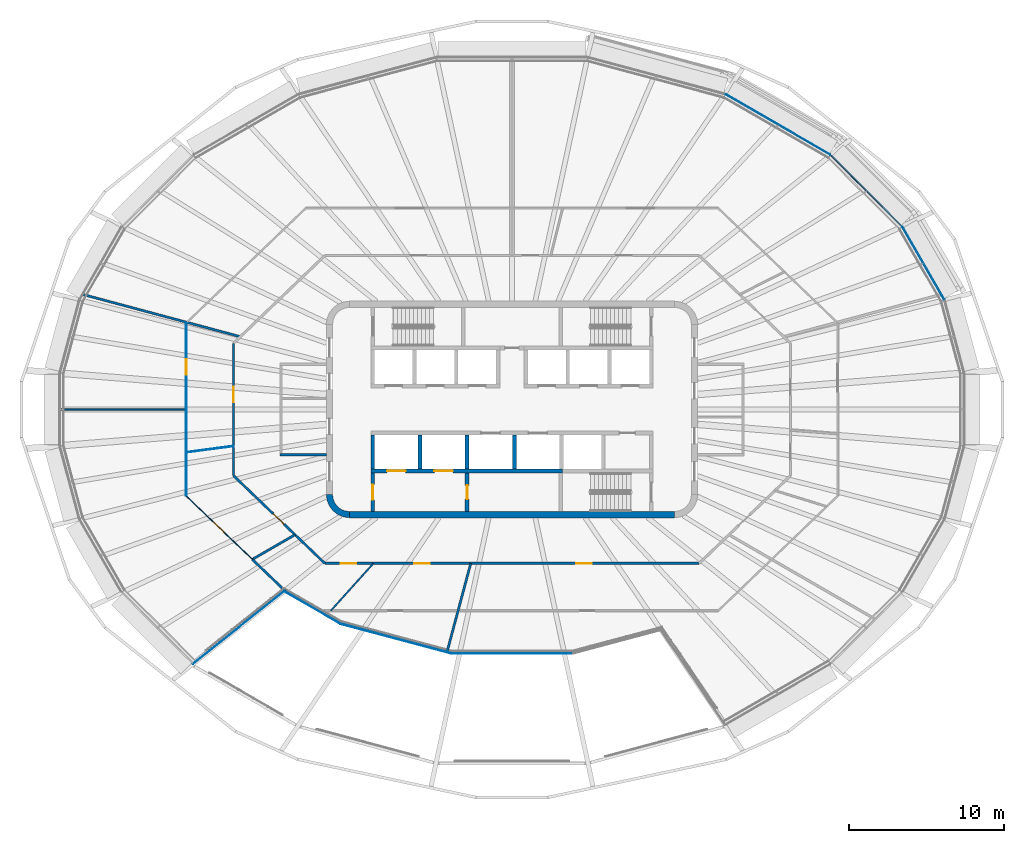
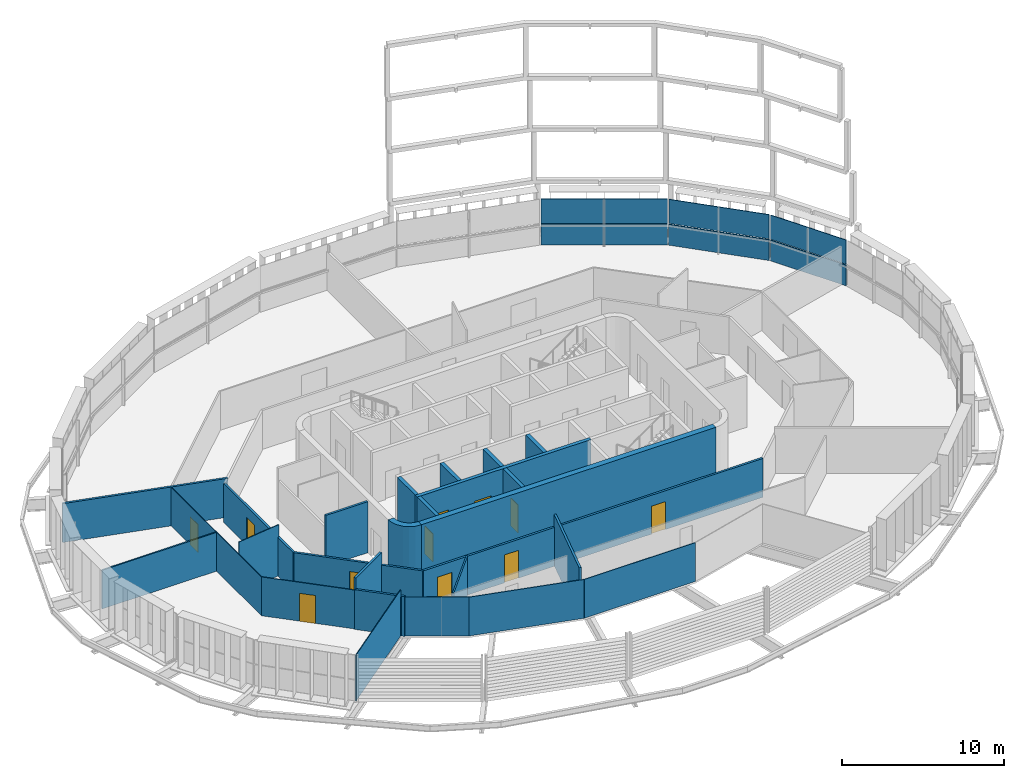
# One storey, part 9 of 19: 26 walls, 11 doors, 6 plates, 11 openings, 3 elements without a shape of their own.
"""IFC4 building model written with IfcOpenShell, lengths in metres."""

from ifc_helpers import new_model, si_unit, direction, frame, frame_2d, origin, place, context, subcontext, project, spatial, polyline, rectangle, outline, extrude, material, layer, layer_set, type_object, element, fill, aggregate, save


model = new_model("IFC4")

# Units and contexts
model_context = context("Model", 3, precision=1e-05, world=origin(), true_north=direction((0.0, 1.0)))
body_context = subcontext(model_context, "Body", "Model", "MODEL_VIEW")
ifc_project = project(units=[si_unit("LENGTHUNIT", "METRE"), si_unit("AREAUNIT", "SQUARE_METRE"), si_unit("VOLUMEUNIT", "CUBIC_METRE"), si_unit("PLANEANGLEUNIT", "RADIAN"), si_unit("MASSUNIT", "GRAM", prefix="KILO")], contexts=[model_context])

# Site, building, storey
site_placement = place(None, origin())
site = spatial("IfcSite", under=ifc_project, at=site_placement, CompositionType="ELEMENT")
building_placement = place(site_placement, origin())
building = spatial("IfcBuilding", under=site, at=building_placement, Name="Sahrelin Media Tower", CompositionType="ELEMENT")
storey_placement = place(building_placement, frame((0.0, 0.0, 279.0)))
storey = spatial("IfcBuildingStorey", under=building, at=storey_placement, Name="L61", CompositionType="ELEMENT", Elevation=279.0)

# Curtain wall, plate
ifc_material_1 = material(Name="Champagne anodised aluminium 6063-T6", Category="aluminium")
ifc_layer_1 = layer(ifc_material_1, 0.14990234375)
ifc_layer_set_1 = layer_set([ifc_layer_1], Name="Tower ribbon curtain wall")
curtain_wall_type = type_object("IfcCurtainWallType", Name="Tower ribbon curtain wall", PredefinedType="NOTDEFINED", material=ifc_layer_set_1)
curtain_wall_1_placement = place(storey_placement, frame((26.595703125, 9.452392578125, 0.0), z_axis=(0.0, 0.0, 1.0), x_axis=(1.0, 0.0, 0.0)))
curtain_wall_1 = element("IfcCurtainWall", 1, at=curtain_wall_1_placement, inside=storey, type_object=curtain_wall_type, Name="L61:CW:L61-02", PredefinedType="NOTDEFINED")
ifc_material_2 = material(Name="Clear low-iron glazing", Category="glass")
ifc_layer_2 = layer(ifc_material_2, 0.048095703125)
ifc_layer_set_2 = layer_set([ifc_layer_2], Name="Glazing panel 48 mm CW1C")
plate_type_1 = type_object("IfcPlateType", Name="Glazing panel 48 mm CW1C", PredefinedType="CURTAIN_PANEL", material=ifc_layer_set_2)
plate_1_placement = place(storey_placement, frame((27.96044921875, 7.12890625, 1.6298828125), z_axis=(0.866009810771, 0.50002700692, 0.0), x_axis=(-0.50002700692, 0.866009810771, 0.0)))
plate_1 = element("IfcPlate", 2, at=plate_1_placement, type_object=plate_type_1, Name="L61:CWP2:L61-02", PredefinedType="CURTAIN_PANEL", context=body_context, shape_type="SweptSolid", body=[
    extrude(outline(polyline([(0.0, 0.0), (5.389404296875, 0.0), (5.389404296875, 1.818603515625), (0.0, 1.818603515625), (0.0, 0.0)])), origin(), (0.0, 0.0, -1.0), 0.048095703125),
])

curtain_wall_2_placement = place(storey_placement, frame((22.919189453125, 14.133544921875, 0.0), z_axis=(0.0, 0.0, 1.0), x_axis=(1.0, 0.0, 0.0)))
curtain_wall_2 = element("IfcCurtainWall", 3, at=curtain_wall_2_placement, inside=storey, type_object=curtain_wall_type, Name="L61:CW:L61-03", PredefinedType="NOTDEFINED")
plate_2_placement = place(storey_placement, frame((25.2021484375, 11.87890625, 1.6298828125), z_axis=(0.707106781187, 0.707106781187, 0.0), x_axis=(-0.707106781187, 0.707106781187, 0.0)))
plate_2 = element("IfcPlate", 4, at=plate_2_placement, type_object=plate_type_1, Name="L61:CWP2:L61-03", PredefinedType="CURTAIN_PANEL", context=body_context, shape_type="SweptSolid", body=[
    extrude(outline(polyline([(0.0, 0.0), (6.417236328125, 0.0), (6.417236328125, 1.818603515625), (0.0, 1.818603515625), (0.0, 0.0)])), origin(), (0.0, 0.0, -1.0), 0.048095703125),
])

curtain_wall_3_placement = place(storey_placement, frame((17.198974609375, 18.41015625, 0.0), z_axis=(0.0, 0.0, 1.0), x_axis=(1.0, 0.0, 0.0)))
curtain_wall_3 = element("IfcCurtainWall", 5, at=curtain_wall_3_placement, inside=storey, type_object=curtain_wall_type, Name="L61:CW:L61-04", PredefinedType="NOTDEFINED")
plate_3_placement = place(storey_placement, frame((20.581787109375, 16.47998046875, 1.6298828125), z_axis=(0.500019089391, 0.866014382239, 0.0), x_axis=(-0.866014382239, 0.500019089391, 0.0)))
plate_3 = element("IfcPlate", 6, at=plate_3_placement, type_object=plate_type_1, Name="L61:CWP2:L61-04", PredefinedType="CURTAIN_PANEL", context=body_context, shape_type="SweptSolid", body=[
    extrude(outline(polyline([(0.0, 0.0), (7.789306640625, 0.0), (7.789306640625, 1.818603515625), (0.0, 1.818603515625), (0.0, 0.0)])), origin(), (0.0, 0.0, -1.0), 0.048095703125),
])

# Plate
ifc_material_3 = material(Name="Insulated spandrel panel")
ifc_layer_3 = layer(ifc_material_3, 0.06005859375)
ifc_layer_set_3 = layer_set([ifc_layer_3], Name="Spandrel panel 60 mm CW1")
plate_type_2 = type_object("IfcPlateType", Name="Spandrel panel 60 mm CW1", PredefinedType="SHEET", material=ifc_layer_set_3)
plate_4_placement = place(storey_placement, frame((27.96044921875, 7.12890625, 0.0), z_axis=(0.866009810771, 0.50002700692, 0.0), x_axis=(-0.50002700692, 0.866009810771, 0.0)))
plate_4 = element("IfcPlate", 7, at=plate_4_placement, type_object=plate_type_2, Name="L61:CWP1:L61-02", PredefinedType="SHEET", context=body_context, shape_type="SweptSolid", body=[
    extrude(outline(polyline([(0.0, 0.0), (5.389404296875, 0.0), (5.389404296875, 1.570068359375), (0.0, 1.570068359375), (0.0, 0.0)])), origin(), (0.0, 0.0, -1.0), 0.06005859375),
])

aggregate(curtain_wall_1, [plate_4, plate_1])

plate_5_placement = place(storey_placement, frame((25.2021484375, 11.87890625, 0.0), z_axis=(0.707106781187, 0.707106781187, 0.0), x_axis=(-0.707106781187, 0.707106781187, 0.0)))
plate_5 = element("IfcPlate", 8, at=plate_5_placement, type_object=plate_type_2, Name="L61:CWP1:L61-03", PredefinedType="SHEET", context=body_context, shape_type="SweptSolid", body=[
    extrude(outline(polyline([(0.0, 0.0), (6.417236328125, 0.0), (6.417236328125, 1.570068359375), (0.0, 1.570068359375), (0.0, 0.0)])), origin(), (0.0, 0.0, -1.0), 0.06005859375),
])

aggregate(curtain_wall_2, [plate_5, plate_2])

plate_6_placement = place(storey_placement, frame((20.581787109375, 16.47998046875, 0.0), z_axis=(0.500019089391, 0.866014382239, 0.0), x_axis=(-0.866014382239, 0.500019089391, 0.0)))
plate_6 = element("IfcPlate", 9, at=plate_6_placement, type_object=plate_type_2, Name="L61:CWP1:L61-04", PredefinedType="SHEET", context=body_context, shape_type="SweptSolid", body=[
    extrude(outline(polyline([(0.0, 0.0), (7.789306640625, 0.0), (7.789306640625, 1.570068359375), (0.0, 1.570068359375), (0.0, 0.0)])), origin(), (0.0, 0.0, -1.0), 0.06005859375),
])

aggregate(curtain_wall_3, [plate_6, plate_3])

# Walls
ifc_material_4 = material(Name="Concrete C60/75", Category="concrete")
ifc_layer_4 = layer(ifc_material_4, 0.39990234375)
ifc_layer_set_4 = layer_set([ifc_layer_4], Name="Core wall 400")
wall_type_1 = type_object("IfcWallType", Name="Core wall 400", PredefinedType="SHEAR", material=ifc_layer_set_4)
wall_1_placement = place(storey_placement, frame((-10.5, -6.800048828125, 0.0), z_axis=(0.0, 0.0, 1.0), x_axis=(1.0, 0.0, 0.0)))
element("IfcWall", 10, at=wall_1_placement, inside=storey, type_object=wall_type_1, Name="Core wall S L61", PredefinedType="SHEAR", context=body_context, shape_type="SweptSolid", body=[
    extrude(rectangle(XDim=21.0, YDim=0.39990234375, at=frame_2d((10.5, 0.0))), origin(), (0.0, 0.0, 1.0), 4.0),
])
wall_2_placement = place(storey_placement, origin())
element("IfcWall", 11, at=wall_2_placement, inside=storey, type_object=wall_type_1, Name="Core wall corner SW L61", PredefinedType="SHEAR", context=body_context, shape_type="SweptSolid", body=[
    extrude(outline(polyline([(-10.5, -7.0), (-10.5, -6.596435546875), (-10.78369140625, -6.55908203125), (-11.04833984375, -6.44970703125), (-11.275390625, -6.275390625), (-11.44970703125, -6.04833984375), (-11.55908203125, -5.78369140625), (-11.596435546875, -5.5), (-12.0, -5.5), (-11.948974609375, -5.88818359375), (-11.799072265625, -6.25), (-11.560791015625, -6.560791015625), (-11.25, -6.799072265625), (-10.88818359375, -6.948974609375), (-10.5, -7.0)])), origin(), (0.0, 0.0, 1.0), 4.0),
])
ifc_material_5 = material(Name="Fire-rated gypsum board partition")
ifc_layer_5 = layer(ifc_material_5, 0.14990234375)
ifc_layer_set_5 = layer_set([ifc_layer_5], Name="Fire-rated partition 150")
wall_type_2 = type_object("IfcWallType", Name="Fire-rated partition 150", PredefinedType="PARTITIONING", material=ifc_layer_set_5)
wall_3_placement = place(storey_placement, frame((-15.0, -2.925048828125, 0.0), z_axis=(0.0, 0.0, 1.0), x_axis=(1.0, 0.0, 0.0)))
element("IfcWall", 12, at=wall_3_placement, inside=storey, type_object=wall_type_2, Name="Core room fire partition", PredefinedType="PARTITIONING", context=body_context, shape_type="SweptSolid", body=[
    extrude(rectangle(XDim=3.0, YDim=0.14990234375, at=frame_2d((1.5, 0.0))), origin(), (0.0, 0.0, 1.0), 3.85009765625),
])
wall_4_placement = place(storey_placement, frame((-16.782958984375, -9.68994140625, 0.0), z_axis=(0.0, 0.0, 1.0), x_axis=(0.721336622544, -0.692584635245, 0.0)))
element("IfcWall", 13, at=wall_4_placement, inside=storey, type_object=wall_type_2, Name="Wall", PredefinedType="PARTITIONING", context=body_context, shape_type="SweptSolid", body=[
    extrude(rectangle(XDim=3.17578125, YDim=0.14990234375, at=frame_2d((1.587890625, 0.0))), origin(), (0.0, 0.0, 1.0), 2.9951171875),
])

# Wall, opening, door
wall_5_placement = place(storey_placement, frame((-18.0, -4.278076171875, 0.0), z_axis=(0.0, 0.0, 1.0), x_axis=(0.721348586031, -0.692572174889, 0.0)))
wall_5 = element("IfcWall", 14, at=wall_5_placement, inside=storey, type_object=wall_type_2, Name="Wall", PredefinedType="PARTITIONING", context=body_context, shape_type="SweptSolid", body=[
    extrude(rectangle(XDim=8.18701171875, YDim=0.14990234375, at=frame_2d((4.093505859375, 0.0))), origin(), (0.0, 0.0, 1.0), 2.927001953125),
])
opening_1_placement = place(wall_5_placement, frame((3.545654296875, 0.0, 0.0)))
opening_1 = element("IfcOpeningElement", 15, at=opening_1_placement, cuts=wall_5, Name="Opening L61-D29", PredefinedType="OPENING", context=body_context, shape_type="SweptSolid", body=[
    extrude(rectangle(XDim=1.0, YDim=2.10009765625, at=frame_2d((0.5, 1.050048828125))), frame((0.0, 0.074951171875, 0.0), z_axis=(0.0, -1.0, 0.0), x_axis=(1.0, 0.0, 0.0)), (0.0, 0.0, 1.0), 0.14990234375),
])
ifc_material_6 = material(Name="Steel fire door leaf", Category="steel")
door_type_1 = type_object("IfcDoorType", Name="Fire door 1000 x 2100 EI 60", OperationType="NOTDEFINED", PredefinedType="DOOR", material=ifc_material_6)
door_1_placement = place(opening_1_placement, origin())
door_1 = element("IfcDoor", 16, at=door_1_placement, inside=storey, type_object=door_type_1, Name="Fire door", OperationType="SINGLE_SWING_RIGHT", OverallHeight=2.10009765625, OverallWidth=1.0, PredefinedType="DOOR", context=body_context, shape_type="SweptSolid", body=[
    extrude(rectangle(XDim=1.0, YDim=2.10009765625, at=frame_2d((0.5, 1.050048828125))), frame((0.0, 0.02490234375, 0.0), z_axis=(0.0, -1.0, 0.0), x_axis=(1.0, 0.0, 0.0)), (0.0, 0.0, 1.0), 0.050048828125),
])
fill(opening_1, door_1)

# Wall
wall_6_placement = place(storey_placement, frame((-27.759033203125, 7.43798828125, 0.0), z_axis=(0.0, 0.0, 1.0), x_axis=(0.965913486924, -0.258865091851, 0.0)))
element("IfcWall", 17, at=wall_6_placement, inside=storey, type_object=wall_type_2, Name="Wall", PredefinedType="PARTITIONING", context=body_context, shape_type="SweptSolid", body=[
    extrude(rectangle(XDim=10.56298828125, YDim=0.14990234375, at=frame_2d((5.281494140625, 0.0))), origin(), (0.0, 0.0, 1.0), 2.927001953125),
])

# Wall, openings, doors
wall_7_placement = place(storey_placement, frame((-12.094970703125, -9.948974609375, 0.0), z_axis=(0.0, 0.0, 1.0), x_axis=(1.0, 0.0, 0.0)))
wall_7 = element("IfcWall", 18, at=wall_7_placement, inside=storey, type_object=wall_type_2, Name="Wall", PredefinedType="PARTITIONING", context=body_context, shape_type="SweptSolid", body=[
    extrude(rectangle(XDim=24.18994140625, YDim=0.14990234375, at=frame_2d((12.094970703125, 0.0))), origin(), (0.0, 0.0, 1.0), 2.927001953125),
])
opening_2_placement = place(wall_7_placement, frame((16.25927734375, 0.0, 0.0)))
opening_2 = element("IfcOpeningElement", 19, at=opening_2_placement, cuts=wall_7, Name="Opening L61-D16", PredefinedType="OPENING", context=body_context, shape_type="SweptSolid", body=[
    extrude(rectangle(XDim=1.0, YDim=2.10009765625, at=frame_2d((0.5, 1.050048828125))), frame((0.0, 0.074951171875, 0.0), z_axis=(0.0, -1.0, 0.0), x_axis=(1.0, 0.0, 0.0)), (0.0, 0.0, 1.0), 0.14990234375),
])
opening_3_placement = place(wall_7_placement, frame((1.016357421875, 0.0, 0.0)))
opening_3 = element("IfcOpeningElement", 20, at=opening_3_placement, cuts=wall_7, Name="Opening L61-D32", PredefinedType="OPENING", context=body_context, shape_type="SweptSolid", body=[
    extrude(rectangle(XDim=1.0, YDim=2.10009765625, at=frame_2d((0.5, 1.050048828125))), frame((0.0, 0.074951171875, 0.0), z_axis=(0.0, -1.0, 0.0), x_axis=(1.0, 0.0, 0.0)), (0.0, 0.0, 1.0), 0.14990234375),
])
opening_4_placement = place(wall_7_placement, frame((5.782958984375, 0.0, 0.0)))
opening_4 = element("IfcOpeningElement", 21, at=opening_4_placement, cuts=wall_7, Name="Opening L61-D33", PredefinedType="OPENING", context=body_context, shape_type="SweptSolid", body=[
    extrude(rectangle(XDim=1.0, YDim=2.10009765625, at=frame_2d((0.5, 1.050048828125))), frame((0.0, 0.074951171875, 0.0), z_axis=(0.0, -1.0, 0.0), x_axis=(1.0, 0.0, 0.0)), (0.0, 0.0, 1.0), 0.14990234375),
])
door_2_placement = place(opening_2_placement, origin())
door_2 = element("IfcDoor", 22, at=door_2_placement, inside=storey, type_object=door_type_1, Name="Fire door", OperationType="SINGLE_SWING_RIGHT", OverallHeight=2.10009765625, OverallWidth=1.0, PredefinedType="DOOR", context=body_context, shape_type="SweptSolid", body=[
    extrude(rectangle(XDim=1.0, YDim=2.10009765625, at=frame_2d((0.5, 1.050048828125))), frame((0.0, 0.02490234375, 0.0), z_axis=(0.0, -1.0, 0.0), x_axis=(1.0, 0.0, 0.0)), (0.0, 0.0, 1.0), 0.050048828125),
])
fill(opening_2, door_2)
door_3_placement = place(opening_3_placement, origin())
door_3 = element("IfcDoor", 23, at=door_3_placement, inside=storey, type_object=door_type_1, Name="Fire door", OperationType="SINGLE_SWING_RIGHT", OverallHeight=2.10009765625, OverallWidth=1.0, PredefinedType="DOOR", context=body_context, shape_type="SweptSolid", body=[
    extrude(rectangle(XDim=1.0, YDim=2.10009765625, at=frame_2d((0.5, 1.050048828125))), frame((0.0, 0.02490234375, 0.0), z_axis=(0.0, -1.0, 0.0), x_axis=(1.0, 0.0, 0.0)), (0.0, 0.0, 1.0), 0.050048828125),
])
fill(opening_3, door_3)
door_4_placement = place(opening_4_placement, origin())
door_4 = element("IfcDoor", 24, at=door_4_placement, inside=storey, type_object=door_type_1, Name="Fire door", OperationType="SINGLE_SWING_LEFT", OverallHeight=2.10009765625, OverallWidth=1.0, PredefinedType="DOOR", context=body_context, shape_type="SweptSolid", body=[
    extrude(rectangle(XDim=1.0, YDim=2.10009765625, at=frame_2d((0.5, 1.050048828125))), frame((0.0, 0.02490234375, 0.0), z_axis=(0.0, -1.0, 0.0), x_axis=(1.0, 0.0, 0.0)), (0.0, 0.0, 1.0), 0.050048828125),
])
fill(opening_4, door_4)

# Walls
wall_8_placement = place(storey_placement, frame((-16.782958984375, -9.68994140625, 0.0), z_axis=(0.0, 0.0, 1.0), x_axis=(0.866013304951, 0.500020955208, 0.0)))
element("IfcWall", 25, at=wall_8_placement, inside=storey, type_object=wall_type_2, Name="Wall", PredefinedType="PARTITIONING", context=body_context, shape_type="SweptSolid", body=[
    extrude(rectangle(XDim=3.185791015625, YDim=0.14990234375, at=frame_2d((1.5927734375, 0.0))), origin(), (0.0, 0.0, 1.0), 3.85009765625),
])
wall_9_placement = place(storey_placement, frame((-4.20703125, -15.700927734375, 0.0), z_axis=(0.0, 0.0, 1.0), x_axis=(0.258785268971, 0.965934875943, 0.0)))
element("IfcWall", 26, at=wall_9_placement, inside=storey, type_object=wall_type_2, Name="Wall", PredefinedType="PARTITIONING", context=body_context, shape_type="SweptSolid", body=[
    extrude(rectangle(XDim=5.954833984375, YDim=0.14990234375, at=frame_2d((2.9775390625, 0.0))), origin(), (0.0, 0.0, 1.0), 3.85009765625),
])

# Wall, opening, door
wall_10_placement = place(storey_placement, frame((-18.0, -4.278076171875, 0.0), z_axis=(0.0, 0.0, 1.0), x_axis=(0.0, 1.0, 0.0)))
wall_10 = element("IfcWall", 27, at=wall_10_placement, inside=storey, type_object=wall_type_2, Name="Wall", PredefinedType="PARTITIONING", context=body_context, shape_type="SweptSolid", body=[
    extrude(rectangle(XDim=8.55615234375, YDim=0.14990234375, at=frame_2d((4.278076171875, 0.0))), origin(), (0.0, 0.0, 1.0), 2.918212890625),
])
opening_5_placement = place(wall_10_placement, frame((4.73193359375, 0.0, 0.0)))
opening_5 = element("IfcOpeningElement", 28, at=opening_5_placement, cuts=wall_10, Name="Opening L61-D28", PredefinedType="OPENING", context=body_context, shape_type="SweptSolid", body=[
    extrude(rectangle(XDim=1.0, YDim=2.10009765625, at=frame_2d((0.5, 1.050048828125))), frame((0.0, 0.074951171875, 0.0), z_axis=(0.0, -1.0, 0.0), x_axis=(1.0, 0.0, 0.0)), (0.0, 0.0, 1.0), 0.14990234375),
])
door_5_placement = place(opening_5_placement, origin())
door_5 = element("IfcDoor", 29, at=door_5_placement, inside=storey, type_object=door_type_1, Name="Fire door", OperationType="SINGLE_SWING_LEFT", OverallHeight=2.10009765625, OverallWidth=1.0, PredefinedType="DOOR", context=body_context, shape_type="SweptSolid", body=[
    extrude(rectangle(XDim=1.0, YDim=2.10009765625, at=frame_2d((0.5, 1.050048828125))), frame((0.0, 0.02490234375, 0.0), z_axis=(0.0, -1.0, 0.0), x_axis=(1.0, 0.0, 0.0)), (0.0, 0.0, 1.0), 0.050048828125),
])
fill(opening_5, door_5)

ifc_layer_6 = layer(ifc_material_5, 0.25)
ifc_layer_set_6 = layer_set([ifc_layer_6], Name="Firefighting lobby wall 250")
wall_type_3 = type_object("IfcWallType", Name="Firefighting lobby wall 250", PredefinedType="PARTITIONING", material=ifc_layer_set_6)
wall_11_placement = place(storey_placement, frame((-9.0, -6.60009765625, 0.0), z_axis=(0.0, 0.0, 1.0), x_axis=(0.0, 1.0, 0.0)))
wall_11 = element("IfcWall", 30, at=wall_11_placement, inside=storey, type_object=wall_type_3, Name="Core wall", PredefinedType="PARTITIONING", context=body_context, shape_type="SweptSolid", body=[
    extrude(rectangle(XDim=2.5, YDim=0.25, at=frame_2d((1.25, 0.0))), origin(), (0.0, 0.0, 1.0), 3.85009765625),
])
opening_6_placement = place(wall_11_placement, frame((0.75, 0.0, 0.0)))
opening_6 = element("IfcOpeningElement", 31, at=opening_6_placement, cuts=wall_11, Name="Opening L61-D04", PredefinedType="OPENING", context=body_context, shape_type="SweptSolid", body=[
    extrude(rectangle(XDim=1.0, YDim=2.10009765625, at=frame_2d((0.5, 1.050048828125))), frame((0.0, 0.125, 0.0), z_axis=(0.0, -1.0, 0.0), x_axis=(1.0, 0.0, 0.0)), (0.0, 0.0, 1.0), 0.25),
])
door_type_2 = type_object("IfcDoorType", Name="Firefighting lobby door 1000 x 2100 EI 120", OperationType="NOTDEFINED", PredefinedType="DOOR", material=ifc_material_6)
door_6_placement = place(opening_6_placement, origin())
door_6 = element("IfcDoor", 32, at=door_6_placement, inside=storey, type_object=door_type_2, Name="Firefighting lobby door", OperationType="SINGLE_SWING_LEFT", OverallHeight=2.10009765625, OverallWidth=1.0, PredefinedType="DOOR", context=body_context, shape_type="SweptSolid", body=[
    extrude(rectangle(XDim=1.0, YDim=2.10009765625, at=frame_2d((0.5, 1.050048828125))), frame((0.0, 0.02490234375, 0.0), z_axis=(0.0, -1.0, 0.0), x_axis=(1.0, 0.0, 0.0)), (0.0, 0.0, 1.0), 0.050048828125),
])
fill(opening_6, door_6)

wall_12_placement = place(storey_placement, frame((-2.89990234375, -6.60009765625, 0.0), z_axis=(0.0, 0.0, 1.0), x_axis=(0.0, 1.0, 0.0)))
wall_12 = element("IfcWall", 33, at=wall_12_placement, inside=storey, type_object=wall_type_3, Name="Core wall", PredefinedType="PARTITIONING", context=body_context, shape_type="SweptSolid", body=[
    extrude(rectangle(XDim=2.5, YDim=0.25, at=frame_2d((1.25, 0.0))), origin(), (0.0, 0.0, 1.0), 3.85009765625),
])
opening_7_placement = place(wall_12_placement, frame((0.800048828125, 0.0, 0.0)))
opening_7 = element("IfcOpeningElement", 34, at=opening_7_placement, cuts=wall_12, Name="Opening L61-D05", PredefinedType="OPENING", context=body_context, shape_type="SweptSolid", body=[
    extrude(rectangle(XDim=0.89990234375, YDim=2.10009765625, at=frame_2d((0.449951171875, 1.050048828125))), frame((0.0, 0.125, 0.0), z_axis=(0.0, -1.0, 0.0), x_axis=(1.0, 0.0, 0.0)), (0.0, 0.0, 1.0), 0.25),
])
door_type_3 = type_object("IfcDoorType", Name="Firefighting lobby door 900 x 2100 EI 120", OperationType="NOTDEFINED", PredefinedType="DOOR", material=ifc_material_6)
door_7_placement = place(opening_7_placement, origin())
door_7 = element("IfcDoor", 35, at=door_7_placement, inside=storey, type_object=door_type_3, Name="Riser door", OperationType="SINGLE_SWING_RIGHT", OverallHeight=2.10009765625, OverallWidth=0.89990234375, PredefinedType="DOOR", context=body_context, shape_type="SweptSolid", body=[
    extrude(rectangle(XDim=0.89990234375, YDim=2.10009765625, at=frame_2d((0.449951171875, 1.050048828125))), frame((0.0, 0.02490234375, 0.0), z_axis=(0.0, -1.0, 0.0), x_axis=(1.0, 0.0, 0.0)), (0.0, 0.0, 1.0), 0.050048828125),
])
fill(opening_7, door_7)

ifc_material_7 = material(Name="Clear glass", Category="glass")
ifc_layer_7 = layer(ifc_material_7, 0.050048828125)
ifc_layer_set_7 = layer_set([ifc_layer_7], Name="Glazed partition 50")
wall_type_4 = type_object("IfcWallType", Name="Glazed partition 50", PredefinedType="PARTITIONING", material=ifc_layer_set_7)
wall_13_placement = place(storey_placement, frame((-21.06005859375, -5.58203125, 0.0), z_axis=(0.0, 0.0, 1.0), x_axis=(0.721227701814, -0.692698059862, 0.0)))
wall_13 = element("IfcWall", 36, at=wall_13_placement, inside=storey, type_object=wall_type_4, Name="Wall", PredefinedType="PARTITIONING", context=body_context, shape_type="SweptSolid", body=[
    extrude(rectangle(XDim=5.930419921875, YDim=0.050048828125, at=frame_2d((2.96533203125, 0.0))), origin(), (0.0, 0.0, 1.0), 2.927001953125),
])
opening_8_placement = place(wall_13_placement, frame((2.414794921875, 0.0, 0.0)))
opening_8 = element("IfcOpeningElement", 37, at=opening_8_placement, cuts=wall_13, Name="Opening L61-D31", PredefinedType="OPENING", context=body_context, shape_type="SweptSolid", body=[
    extrude(rectangle(XDim=1.0, YDim=2.10009765625, at=frame_2d((0.5, 1.050048828125))), frame((0.0, 0.02490234375, 0.0), z_axis=(0.0, -1.0, 0.0), x_axis=(1.0, 0.0, 0.0)), (0.0, 0.0, 1.0), 0.050048828125),
])
door_type_4 = type_object("IfcDoorType", Name="Glazed door 1000 x 2100", OperationType="NOTDEFINED", PredefinedType="DOOR", material=ifc_material_7)
door_8_placement = place(opening_8_placement, origin())
door_8 = element("IfcDoor", 38, at=door_8_placement, inside=storey, type_object=door_type_4, Name="Glazed door", OperationType="SINGLE_SWING_LEFT", OverallHeight=2.10009765625, OverallWidth=1.0, PredefinedType="DOOR", context=body_context, shape_type="SweptSolid", body=[
    extrude(rectangle(XDim=1.0, YDim=2.10009765625, at=frame_2d((0.5, 1.050048828125))), frame((0.0, 0.02490234375, 0.0), z_axis=(0.0, -1.0, 0.0), x_axis=(1.0, 0.0, 0.0)), (0.0, 0.0, 1.0), 0.049560546875),
])
fill(opening_8, door_8)

# Walls
wall_14_placement = place(storey_placement, frame((-14.735107421875, -11.748779296875, 0.0), z_axis=(0.0, 0.0, 1.0), x_axis=(0.866163431647, -0.499760852486, 0.0)))
element("IfcWall", 39, at=wall_14_placement, inside=storey, type_object=wall_type_4, Name="Wall", PredefinedType="PARTITIONING", context=body_context, shape_type="SweptSolid", body=[
    extrude(rectangle(XDim=4.2197265625, YDim=0.050048828125, at=frame_2d((2.10986328125, 0.0))), origin(), (0.0, 0.0, 1.0), 2.927001953125),
])
wall_15_placement = place(storey_placement, frame((-11.0810546875, -13.85888671875, 0.0), z_axis=(0.0, 0.0, 1.0), x_axis=(0.966075753544, -0.258258859314, 0.0)))
element("IfcWall", 40, at=wall_15_placement, inside=storey, type_object=wall_type_4, Name="Wall", PredefinedType="PARTITIONING", context=body_context, shape_type="SweptSolid", body=[
    extrude(rectangle(XDim=7.364990234375, YDim=0.050048828125, at=frame_2d((3.6826171875, 0.0))), origin(), (0.0, 0.0, 1.0), 2.927001953125),
])
wall_16_placement = place(storey_placement, frame((-3.967041015625, -15.764892578125, 0.0), z_axis=(0.0, 0.0, 1.0), x_axis=(1.0, 0.0, 0.0)))
element("IfcWall", 41, at=wall_16_placement, inside=storey, type_object=wall_type_4, Name="Wall", PredefinedType="PARTITIONING", context=body_context, shape_type="SweptSolid", body=[
    extrude(rectangle(XDim=7.93408203125, YDim=0.050048828125, at=frame_2d((3.967041015625, 0.0))), origin(), (0.0, 0.0, 1.0), 2.927001953125),
])
wall_17_placement = place(storey_placement, frame((-21.06005859375, -2.77294921875, 0.0), z_axis=(0.0, 0.0, 1.0), x_axis=(0.991446216664, 0.130515897359, 0.0)))
element("IfcWall", 42, at=wall_17_placement, inside=storey, type_object=wall_type_4, Name="Wall", PredefinedType="PARTITIONING", context=body_context, shape_type="SweptSolid", body=[
    extrude(rectangle(XDim=3.08642578125, YDim=0.050048828125, at=frame_2d((1.543212890625, 0.0))), origin(), (0.0, 0.0, 1.0), 3.85009765625),
])
wall_18_placement = place(storey_placement, frame((-20.614990234375, -16.43798828125, 0.0), z_axis=(0.0, 0.0, 1.0), x_axis=(0.781837006738, 0.623482874581, 0.0)))
element("IfcWall", 43, at=wall_18_placement, inside=storey, type_object=wall_type_4, Name="Wall", PredefinedType="PARTITIONING", context=body_context, shape_type="SweptSolid", body=[
    extrude(rectangle(XDim=7.5205078125, YDim=0.050048828125, at=frame_2d((3.76025390625, 0.0))), origin(), (0.0, 0.0, 1.0), 3.47509765625),
])

# Wall, opening, door
wall_19_placement = place(storey_placement, frame((-21.06005859375, -5.58203125, 0.0), z_axis=(0.0, 0.0, 1.0), x_axis=(0.0, 1.0, 0.0)))
wall_19 = element("IfcWall", 44, at=wall_19_placement, inside=storey, type_object=wall_type_4, Name="Wall", PredefinedType="PARTITIONING", context=body_context, shape_type="SweptSolid", body=[
    extrude(rectangle(XDim=11.1640625, YDim=0.050048828125, at=frame_2d((5.58203125, 0.0))), origin(), (0.0, 0.0, 1.0), 2.918212890625),
])
opening_9_placement = place(wall_19_placement, frame((7.82177734375, 0.0, 0.0)))
opening_9 = element("IfcOpeningElement", 45, at=opening_9_placement, cuts=wall_19, Name="Opening L61-D30", PredefinedType="OPENING", context=body_context, shape_type="SweptSolid", body=[
    extrude(rectangle(XDim=1.0, YDim=2.10009765625, at=frame_2d((0.5, 1.050048828125))), frame((0.0, 0.02490234375, 0.0), z_axis=(0.0, -1.0, 0.0), x_axis=(1.0, 0.0, 0.0)), (0.0, 0.0, 1.0), 0.050048828125),
])
door_9_placement = place(opening_9_placement, origin())
door_9 = element("IfcDoor", 46, at=door_9_placement, inside=storey, type_object=door_type_4, Name="Glazed door", OperationType="SINGLE_SWING_RIGHT", OverallHeight=2.10009765625, OverallWidth=1.0, PredefinedType="DOOR", context=body_context, shape_type="SweptSolid", body=[
    extrude(rectangle(XDim=1.0, YDim=2.10009765625, at=frame_2d((0.5, 1.050048828125))), frame((0.0, 0.02490234375, 0.0), z_axis=(0.0, -1.0, 0.0), x_axis=(1.0, 0.0, 0.0)), (0.0, 0.0, 1.0), 0.049560546875),
])
fill(opening_9, door_9)

# Wall, openings, doors
ifc_layer_8 = layer(ifc_material_4, 0.25)
ifc_layer_set_8 = layer_set([ifc_layer_8], Name="Lift shaft wall 250")
wall_type_5 = type_object("IfcWallType", Name="Lift shaft wall 250", PredefinedType="SOLIDWALL", material=ifc_layer_set_8)
wall_20_placement = place(storey_placement, frame((-9.125, -3.97509765625, 0.0), z_axis=(0.0, 0.0, 1.0), x_axis=(1.0, 0.0, 0.0)))
wall_20 = element("IfcWall", 47, at=wall_20_placement, inside=storey, type_object=wall_type_5, Name="Lift shaft wall", PredefinedType="SOLIDWALL", context=body_context, shape_type="SweptSolid", body=[
    extrude(rectangle(XDim=12.39990234375, YDim=0.25, at=frame_2d((6.199951171875, 0.0))), origin(), (0.0, 0.0, 1.0), 3.85009765625),
])
opening_10_placement = place(wall_20_placement, frame((1.050048828125, 0.0, 0.0)))
opening_10 = element("IfcOpeningElement", 48, at=opening_10_placement, cuts=wall_20, Name="Opening L61-LD-FF1", PredefinedType="OPENING", context=body_context, shape_type="SweptSolid", body=[
    extrude(rectangle(XDim=1.199951171875, YDim=2.10009765625, at=frame_2d((0.60009765625, 1.050048828125))), frame((0.0, 0.125, 0.0), z_axis=(0.0, -1.0, 0.0), x_axis=(1.0, 0.0, 0.0)), (0.0, 0.0, 1.0), 0.25),
])
opening_11_placement = place(wall_20_placement, frame((4.10009765625, 0.0, 0.0)))
opening_11 = element("IfcOpeningElement", 49, at=opening_11_placement, cuts=wall_20, Name="Opening L61-LD-FF2", PredefinedType="OPENING", context=body_context, shape_type="SweptSolid", body=[
    extrude(rectangle(XDim=1.199951171875, YDim=2.10009765625, at=frame_2d((0.60009765625, 1.050048828125))), frame((0.0, 0.125, 0.0), z_axis=(0.0, -1.0, 0.0), x_axis=(1.0, 0.0, 0.0)), (0.0, 0.0, 1.0), 0.25),
])
ifc_material_8 = material(Name="Stainless steel", Category="steel")
door_type_5 = type_object("IfcDoorType", Name="Lift landing door 1200 x 2100 EI 120", OperationType="DOUBLE_DOOR_SLIDING", PredefinedType="DOOR", material=ifc_material_8)
door_10_placement = place(opening_10_placement, origin())
door_10 = element("IfcDoor", 50, at=door_10_placement, inside=storey, type_object=door_type_5, Name="Lift landing door FF1", OperationType="DOUBLE_DOOR_SLIDING", OverallHeight=2.10009765625, OverallWidth=1.199951171875, PredefinedType="DOOR", context=body_context, shape_type="SweptSolid", body=[
    extrude(rectangle(XDim=1.199951171875, YDim=2.10009765625, at=frame_2d((0.60009765625, 1.050048828125))), frame((0.0, 0.02490234375, 0.0), z_axis=(0.0, -1.0, 0.0), x_axis=(1.0, 0.0, 0.0)), (0.0, 0.0, 1.0), 0.050048828125),
])
fill(opening_10, door_10)
door_11_placement = place(opening_11_placement, origin())
door_11 = element("IfcDoor", 51, at=door_11_placement, inside=storey, type_object=door_type_5, Name="Lift landing door FF2", OperationType="DOUBLE_DOOR_SLIDING", OverallHeight=2.10009765625, OverallWidth=1.199951171875, PredefinedType="DOOR", context=body_context, shape_type="SweptSolid", body=[
    extrude(rectangle(XDim=1.199951171875, YDim=2.10009765625, at=frame_2d((0.60009765625, 1.050048828125))), frame((0.0, 0.02490234375, 0.0), z_axis=(0.0, -1.0, 0.0), x_axis=(1.0, 0.0, 0.0)), (0.0, 0.0, 1.0), 0.050048828125),
])
fill(opening_11, door_11)

# Walls
for number, where, z_axis, x_axis, name in (
    (52, (-9.0, -3.85009765625, 0.0), (0.0, 0.0, 1.0), (0.0, 1.0, 0.0), "Lift shaft wall"),
    (53, (-5.949951171875, -3.85009765625, 0.0), (0.0, 0.0, 1.0), (0.0, 1.0, 0.0), "Lift shaft wall"),
    (54, (-2.89990234375, -3.85009765625, 0.0), (0.0, 0.0, 1.0), (0.0, 1.0, 0.0), "Lift shaft wall"),
    (55, (0.14990234375, -3.85009765625, 0.0), (0.0, 0.0, 1.0), (0.0, 1.0, 0.0), "Lift shaft wall"),
):
    element("IfcWall", number, at=place(storey_placement, frame(where, z_axis=z_axis, x_axis=x_axis)), inside=storey, type_object=wall_type_5, Name=name, PredefinedType="SOLIDWALL", context=body_context, shape_type="SweptSolid", body=[
        extrude(rectangle(XDim=2.2001953125, YDim=0.25, at=frame_2d((1.10009765625, 0.0))), origin(), (0.0, 0.0, 1.0), 3.85009765625),
    ])
ifc_material_9 = material(Name="Gypsum board partition")
ifc_layer_9 = layer(ifc_material_9, 0.10009765625)
ifc_layer_set_9 = layer_set([ifc_layer_9], Name="Partition 100")
wall_type_6 = type_object("IfcWallType", Name="Partition 100", PredefinedType="PARTITIONING", material=ifc_layer_set_9)
wall_21_placement = place(storey_placement, frame((-29.23388671875, 0.0, 0.0), z_axis=(0.0, 0.0, 1.0), x_axis=(1.0, 0.0, 0.0)))
element("IfcWall", 56, at=wall_21_placement, inside=storey, type_object=wall_type_6, Name="Wall", PredefinedType="PARTITIONING", context=body_context, shape_type="SweptSolid", body=[
    extrude(rectangle(XDim=8.173828125, YDim=0.10009765625, at=frame_2d((4.0869140625, 0.0))), origin(), (0.0, 0.0, 1.0), 2.918212890625),
])
wall_22_placement = place(storey_placement, frame((-11.712890625, -13.009033203125, 0.0), z_axis=(0.0, 0.0, 1.0), x_axis=(0.669076105541, 0.743193894616, 0.0)))
element("IfcWall", 57, at=wall_22_placement, inside=storey, type_object=wall_type_6, Name="Wall", PredefinedType="PARTITIONING", context=body_context, shape_type="SweptSolid", body=[
    extrude(rectangle(XDim=4.117431640625, YDim=0.10009765625, at=frame_2d((2.05859375, 0.0))), origin(), (0.0, 0.0, 1.0), 2.927001953125),
])

save(model, "model.ifc")
